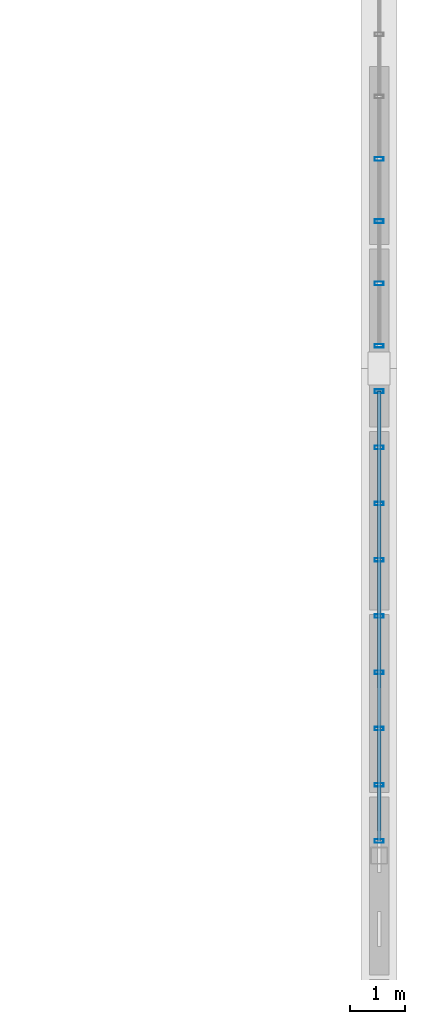
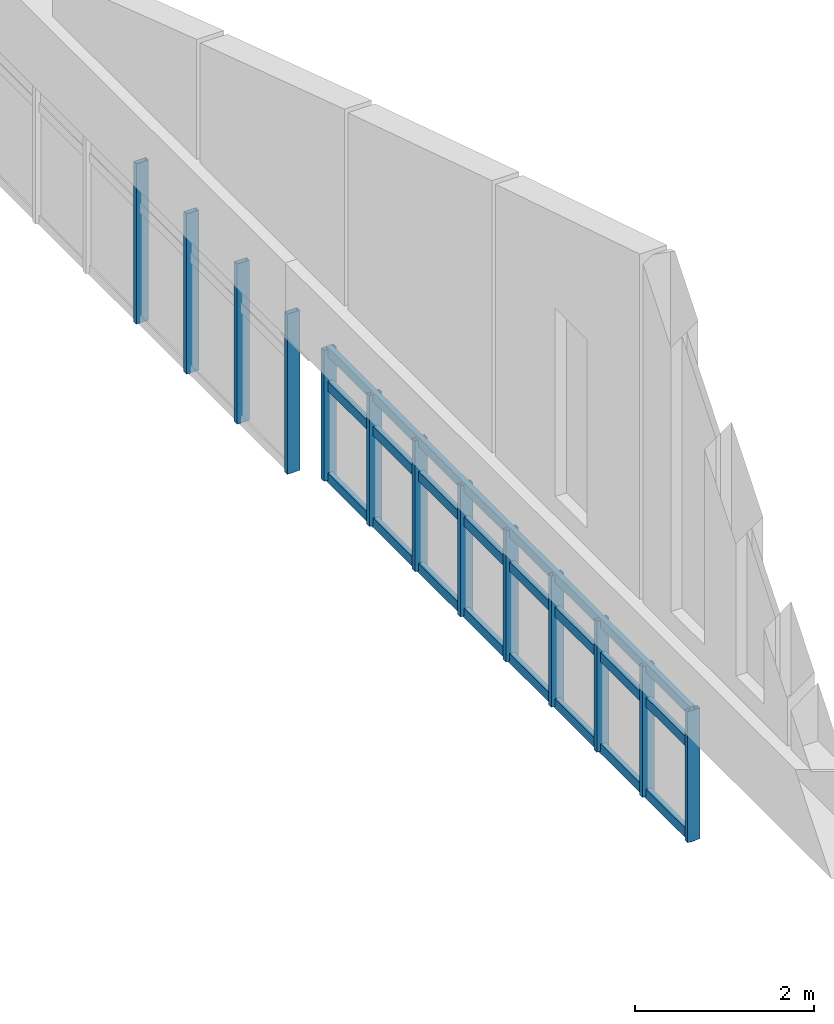
# One storey, part 27 of 65: 16 members, 2 elements without a shape of their own.
"""IFC4 building model written with IfcOpenShell, lengths in metres."""

from ifc_helpers import new_model, si_unit, direction, frame, origin, origin_2d, place, context, subcontext, project, spatial, hollow_rectangle, extrude, material, layer, layer_set, material_profile, profile_set, type_object, element, aggregate, save


model = new_model("IFC4")

# Units and contexts
model_context = context("Model", 3, precision=1e-05, world=origin(), true_north=direction((0.0, 1.0)))
body_context = subcontext(model_context, "Body", "Model", "MODEL_VIEW")
ifc_project = project(units=[si_unit("LENGTHUNIT", "METRE"), si_unit("AREAUNIT", "SQUARE_METRE"), si_unit("VOLUMEUNIT", "CUBIC_METRE"), si_unit("PLANEANGLEUNIT", "RADIAN"), si_unit("MASSUNIT", "GRAM", prefix="KILO")], contexts=[model_context])

# Site, building, storey
site_placement = place(None, origin())
site = spatial("IfcSite", under=ifc_project, at=site_placement, CompositionType="ELEMENT")
building_placement = place(site_placement, origin())
building = spatial("IfcBuilding", under=site, at=building_placement, Name="Chalmorin Arch Market", CompositionType="ELEMENT")
storey_placement = place(building_placement, frame((0.0, 0.0, 14.10009765625)))
storey = spatial("IfcBuildingStorey", under=building, at=storey_placement, Name="L03", CompositionType="ELEMENT", Elevation=14.10009765625)

# Curtain wall, members
ifc_material = material(Name="Aluminium 6063-T6", Category="aluminium")
ifc_layer_1 = layer(ifc_material, 0.159912109375)
ifc_layer_set_1 = layer_set([ifc_layer_1], Name="Aluminium 6063-T6")
curtain_wall_type_1 = type_object("IfcCurtainWallType", Name="GableTympanumCurtainWall-CW4-8130x1780", PredefinedType="NOTDEFINED", material=ifc_layer_set_1)
curtain_wall_1_placement = place(storey_placement, origin())
curtain_wall_1 = element("IfcCurtainWall", 1, at=curtain_wall_1_placement, inside=storey, type_object=curtain_wall_type_1, Name="CW-04-043", PredefinedType="NOTDEFINED")
ifc_material_profile_1 = material_profile(ifc_material, hollow_rectangle(XDim=0.06494140625, YDim=0.159912109375, WallThickness=0.00390625, at=origin_2d()), Name="ALU65X160X4")
ifc_profile_set_1 = profile_set([ifc_material_profile_1], Name="Aluminium 6063-T6")
member_type_1 = type_object("IfcMemberType", Name="CurtainWallMullion-65x160", PredefinedType="MULLION", material=ifc_profile_set_1)
member_1_placement = place(storey_placement, frame((124.800048828125, 41.46240234375, -1.60009765625), z_axis=(0.0, 0.0, 1.0), x_axis=(0.0, 1.0, 0.0)))
member_1 = element("IfcMember", 2, at=member_1_placement, type_object=member_type_1, Name="ML-043-01", PredefinedType="MULLION", context=body_context, shape_type="SweptSolid", body=[
    extrude(hollow_rectangle(XDim=0.06494140625, YDim=0.159912109375, WallThickness=0.00390625, at=origin_2d()), origin(), (0.0, 0.0, 1.0), 1.784912109375),
])
member_2_placement = place(storey_placement, frame((124.800048828125, 42.478515625, -1.60009765625), z_axis=(0.0, 0.0, 1.0), x_axis=(0.0, 1.0, 0.0)))
member_2 = element("IfcMember", 3, at=member_2_placement, type_object=member_type_1, Name="ML-043-02", PredefinedType="MULLION", context=body_context, shape_type="SweptSolid", body=[
    extrude(hollow_rectangle(XDim=0.06494140625, YDim=0.159912109375, WallThickness=0.00390625, at=origin_2d()), origin(), (0.0, 0.0, 1.0), 1.784912109375),
])
member_3_placement = place(storey_placement, frame((124.800048828125, 43.494384765625, -1.60009765625), z_axis=(0.0, 0.0, 1.0), x_axis=(0.0, 1.0, 0.0)))
member_3 = element("IfcMember", 4, at=member_3_placement, type_object=member_type_1, Name="ML-043-03", PredefinedType="MULLION", context=body_context, shape_type="SweptSolid", body=[
    extrude(hollow_rectangle(XDim=0.06494140625, YDim=0.159912109375, WallThickness=0.00390625, at=origin_2d()), origin(), (0.0, 0.0, 1.0), 1.784912109375),
])
member_4_placement = place(storey_placement, frame((124.800048828125, 44.51025390625, -1.60009765625), z_axis=(0.0, 0.0, 1.0), x_axis=(0.0, 1.0, 0.0)))
member_4 = element("IfcMember", 5, at=member_4_placement, type_object=member_type_1, Name="ML-043-04", PredefinedType="MULLION", context=body_context, shape_type="SweptSolid", body=[
    extrude(hollow_rectangle(XDim=0.06494140625, YDim=0.159912109375, WallThickness=0.00390625, at=origin_2d()), origin(), (0.0, 0.0, 1.0), 1.784912109375),
])
member_5_placement = place(storey_placement, frame((124.800048828125, 45.526123046875, -1.60009765625), z_axis=(0.0, 0.0, 1.0), x_axis=(0.0, 1.0, 0.0)))
member_5 = element("IfcMember", 6, at=member_5_placement, type_object=member_type_1, Name="ML-043-05", PredefinedType="MULLION", context=body_context, shape_type="SweptSolid", body=[
    extrude(hollow_rectangle(XDim=0.06494140625, YDim=0.159912109375, WallThickness=0.00390625, at=origin_2d()), origin(), (0.0, 0.0, 1.0), 1.784912109375),
])
member_6_placement = place(storey_placement, frame((124.800048828125, 46.542236328125, -1.60009765625), z_axis=(0.0, 0.0, 1.0), x_axis=(0.0, 1.0, 0.0)))
member_6 = element("IfcMember", 7, at=member_6_placement, type_object=member_type_1, Name="ML-043-06", PredefinedType="MULLION", context=body_context, shape_type="SweptSolid", body=[
    extrude(hollow_rectangle(XDim=0.06494140625, YDim=0.159912109375, WallThickness=0.00390625, at=origin_2d()), origin(), (0.0, 0.0, 1.0), 1.784912109375),
])
member_7_placement = place(storey_placement, frame((124.800048828125, 47.55810546875, -1.60009765625), z_axis=(0.0, 0.0, 1.0), x_axis=(0.0, 1.0, 0.0)))
member_7 = element("IfcMember", 8, at=member_7_placement, type_object=member_type_1, Name="ML-043-07", PredefinedType="MULLION", context=body_context, shape_type="SweptSolid", body=[
    extrude(hollow_rectangle(XDim=0.06494140625, YDim=0.159912109375, WallThickness=0.00390625, at=origin_2d()), origin(), (0.0, 0.0, 1.0), 1.784912109375),
])
member_8_placement = place(storey_placement, frame((124.800048828125, 48.573974609375, -1.60009765625), z_axis=(0.0, 0.0, 1.0), x_axis=(0.0, 1.0, 0.0)))
member_8 = element("IfcMember", 9, at=member_8_placement, type_object=member_type_1, Name="ML-043-08", PredefinedType="MULLION", context=body_context, shape_type="SweptSolid", body=[
    extrude(hollow_rectangle(XDim=0.06494140625, YDim=0.159912109375, WallThickness=0.00390625, at=origin_2d()), origin(), (0.0, 0.0, 1.0), 1.784912109375),
])
member_9_placement = place(storey_placement, frame((124.800048828125, 49.590087890625, -1.60009765625), z_axis=(0.0, 0.0, 1.0), x_axis=(0.0, 1.0, 0.0)))
member_9 = element("IfcMember", 10, at=member_9_placement, type_object=member_type_1, Name="ML-043-09", PredefinedType="MULLION", context=body_context, shape_type="SweptSolid", body=[
    extrude(hollow_rectangle(XDim=0.06494140625, YDim=0.159912109375, WallThickness=0.00390625, at=origin_2d()), origin(), (0.0, 0.0, 1.0), 1.784912109375),
])

ifc_layer_2 = layer(ifc_material, 0.159912109375)
ifc_layer_set_2 = layer_set([ifc_layer_2], Name="Aluminium 6063-T6")
curtain_wall_type_2 = type_object("IfcCurtainWallType", Name="GableTympanumCurtainWall-CW4-7880x2180", PredefinedType="NOTDEFINED", material=ifc_layer_set_2)
curtain_wall_2_placement = place(storey_placement, origin())
curtain_wall_2 = element("IfcCurtainWall", 11, at=curtain_wall_2_placement, inside=storey, type_object=curtain_wall_type_2, Name="CW-04-044", PredefinedType="NOTDEFINED")
member_10_placement = place(storey_placement, frame((124.800048828125, 50.409912109375, -2.0), z_axis=(0.0, 0.0, 1.0), x_axis=(0.0, 1.0, 0.0)))
member_10 = element("IfcMember", 12, at=member_10_placement, type_object=member_type_1, Name="ML-044-01", PredefinedType="MULLION", context=body_context, shape_type="SweptSolid", body=[
    extrude(hollow_rectangle(XDim=0.06494140625, YDim=0.159912109375, WallThickness=0.00390625, at=origin_2d()), origin(), (0.0, 0.0, 1.0), 2.184814453125),
])
member_11_placement = place(storey_placement, frame((124.800048828125, 51.53564453125, -2.0), z_axis=(0.0, 0.0, 1.0), x_axis=(0.0, 1.0, 0.0)))
member_11 = element("IfcMember", 13, at=member_11_placement, type_object=member_type_1, Name="ML-044-02", PredefinedType="MULLION", context=body_context, shape_type="SweptSolid", body=[
    extrude(hollow_rectangle(XDim=0.06494140625, YDim=0.159912109375, WallThickness=0.00390625, at=origin_2d()), origin(), (0.0, 0.0, 1.0), 2.184814453125),
])
member_12_placement = place(storey_placement, frame((124.800048828125, 52.661376953125, -2.0), z_axis=(0.0, 0.0, 1.0), x_axis=(0.0, 1.0, 0.0)))
member_12 = element("IfcMember", 14, at=member_12_placement, type_object=member_type_1, Name="ML-044-03", PredefinedType="MULLION", context=body_context, shape_type="SweptSolid", body=[
    extrude(hollow_rectangle(XDim=0.06494140625, YDim=0.159912109375, WallThickness=0.00390625, at=origin_2d()), origin(), (0.0, 0.0, 1.0), 2.184814453125),
])
member_13_placement = place(storey_placement, frame((124.800048828125, 53.787109375, -2.0), z_axis=(0.0, 0.0, 1.0), x_axis=(0.0, 1.0, 0.0)))
member_13 = element("IfcMember", 15, at=member_13_placement, type_object=member_type_1, Name="ML-044-04", PredefinedType="MULLION", context=body_context, shape_type="SweptSolid", body=[
    extrude(hollow_rectangle(XDim=0.06494140625, YDim=0.159912109375, WallThickness=0.00390625, at=origin_2d()), origin(), (0.0, 0.0, 1.0), 2.184814453125),
])
aggregate(curtain_wall_2, [member_10, member_11, member_12, member_13])

# Member
ifc_material_profile_2 = material_profile(ifc_material, hollow_rectangle(XDim=0.06494140625, YDim=0.1298828125, WallThickness=0.00390625, at=origin_2d()), Name="ALU65X130X4")
ifc_profile_set_2 = profile_set([ifc_material_profile_2], Name="Aluminium 6063-T6")
member_type_2 = type_object("IfcMemberType", Name="CurtainWallTransom-65x130", PredefinedType="USERDEFINED", material=ifc_profile_set_2)
member_14_placement = place(storey_placement, frame((124.800048828125, 41.46240234375, -1.565185546875), z_axis=(0.0, 1.0, 0.0), x_axis=(-1.0, 0.0, 0.0)))
member_14 = element("IfcMember", 16, at=member_14_placement, type_object=member_type_2, Name="TR-043-01", ObjectType="TRANSOM", PredefinedType="USERDEFINED", context=body_context, shape_type="SweptSolid", body=[
    extrude(hollow_rectangle(XDim=0.06494140625, YDim=0.1298828125, WallThickness=0.00390625, at=origin_2d()), origin(), (0.0, 0.0, 1.0), 8.127685546875),
])

member_15_placement = place(storey_placement, frame((124.800048828125, 41.46240234375, -0.31494140625), z_axis=(0.0, 1.0, 0.0), x_axis=(-1.0, 0.0, 0.0)))
member_15 = element("IfcMember", 17, at=member_15_placement, type_object=member_type_2, Name="TR-043-02", ObjectType="TRANSOM", PredefinedType="USERDEFINED", context=body_context, shape_type="SweptSolid", body=[
    extrude(hollow_rectangle(XDim=0.06494140625, YDim=0.1298828125, WallThickness=0.00390625, at=origin_2d()), origin(), (0.0, 0.0, 1.0), 8.127685546875),
])

member_16_placement = place(storey_placement, frame((124.800048828125, 41.46240234375, 0.14990234375), z_axis=(0.0, 1.0, 0.0), x_axis=(-1.0, 0.0, 0.0)))
member_16 = element("IfcMember", 18, at=member_16_placement, type_object=member_type_2, Name="TR-043-03", ObjectType="TRANSOM", PredefinedType="USERDEFINED", context=body_context, shape_type="SweptSolid", body=[
    extrude(hollow_rectangle(XDim=0.06494140625, YDim=0.1298828125, WallThickness=0.00390625, at=origin_2d()), origin(), (0.0, 0.0, 1.0), 8.127685546875),
])

aggregate(curtain_wall_1, [member_1, member_2, member_3, member_4, member_5, member_6, member_7, member_8, member_9, member_14, member_15, member_16])

save(model, "model.ifc")
